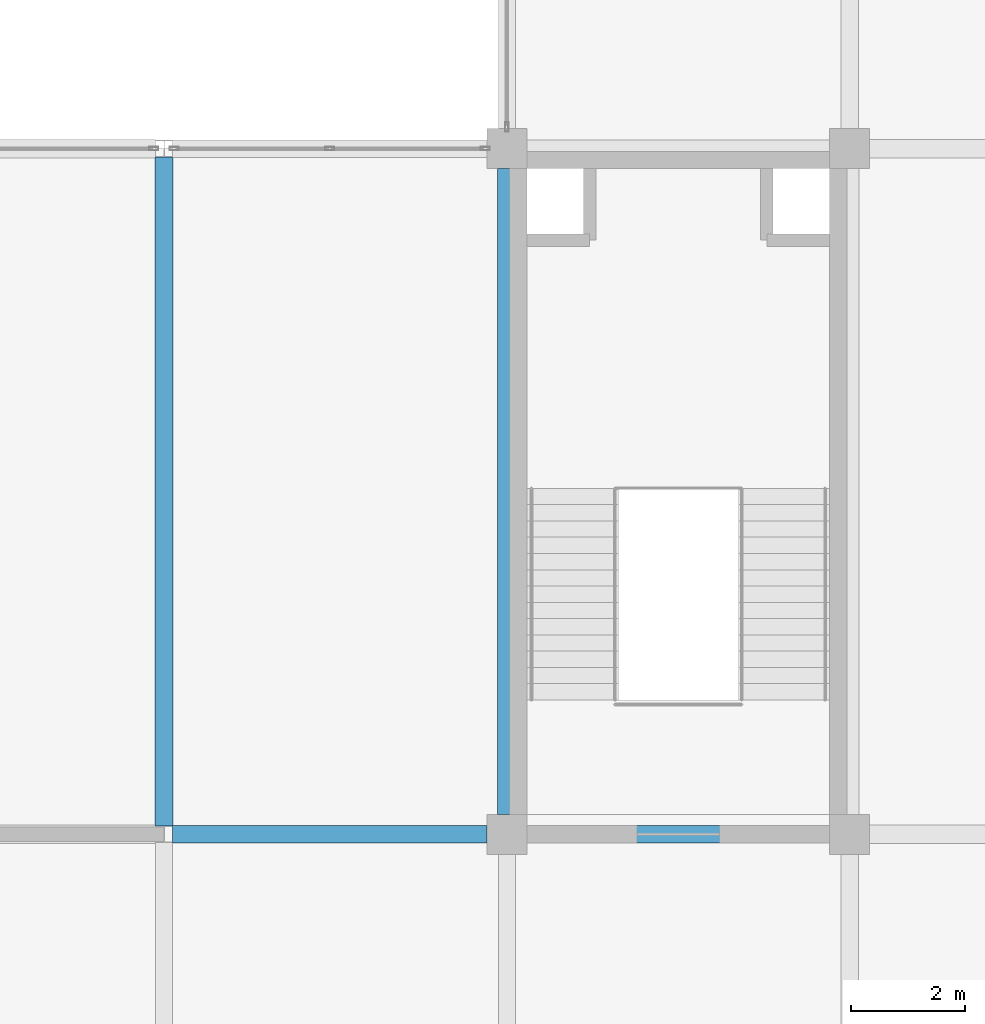
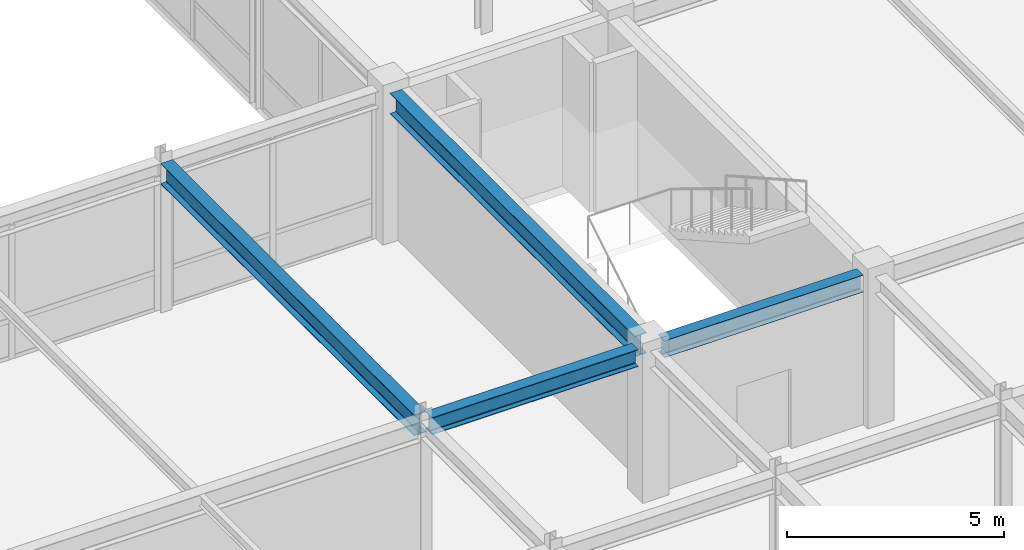
# One storey, part 81 of 108: 4 beams.
"""IFC4 building model written with IfcOpenShell, lengths in metres."""

from ifc_helpers import new_model, si_unit, direction, frame, origin, origin_2d, place, context, subcontext, project, spatial, i_section, extrude, material, material_profile, profile_set, type_object, element, save


model = new_model("IFC4")

# Units and contexts
model_context = context("Model", 3, precision=1e-05, world=origin(), true_north=direction((0.0, 1.0)))
body_context = subcontext(model_context, "Body", "Model", "MODEL_VIEW")
ifc_project = project(units=[si_unit("LENGTHUNIT", "METRE"), si_unit("AREAUNIT", "SQUARE_METRE"), si_unit("VOLUMEUNIT", "CUBIC_METRE"), si_unit("PLANEANGLEUNIT", "RADIAN"), si_unit("MASSUNIT", "GRAM", prefix="KILO")], contexts=[model_context])

# Site, building, storey
site_placement = place(None, origin())
site = spatial("IfcSite", under=ifc_project, at=site_placement, CompositionType="ELEMENT")
building_placement = place(site_placement, origin())
building = spatial("IfcBuilding", under=site, at=building_placement, Name="Zlatovratsky Civic Hall", CompositionType="ELEMENT")
storey_placement = place(building_placement, frame((0.0, 0.0, 12.0)))
storey = spatial("IfcBuildingStorey", under=building, at=storey_placement, Name="L03", CompositionType="ELEMENT", Elevation=12.0)

# Beams
ifc_material = material(Name="Steel S355", Category="steel")
ifc_material_profile_1 = material_profile(ifc_material, i_section(OverallWidth=0.300048828125, OverallDepth=0.48193359375, WebThickness=0.010986328125, FlangeThickness=0.014892578125, FilletRadius=0.02392578125, at=origin_2d()), Name="50Sh1")
ifc_profile_set_1 = profile_set([ifc_material_profile_1], Name="Steel S355")
beam_type_1 = type_object("IfcBeamType", Name="Beam_LibraryGirder_50Sh1", PredefinedType="BEAM", material=ifc_profile_set_1)
beam_1_placement = place(storey_placement, frame((144.1494140625, 18.0, 3.97900390625), z_axis=(1.0, 0.0, 0.0), x_axis=(0.0, 1.0, 0.0)))
element("IfcBeam", 1, at=beam_1_placement, inside=storey, type_object=beam_type_1, Name="BM-2522", PredefinedType="BEAM", context=body_context, shape_type="SweptSolid", body=[
    extrude(i_section(OverallWidth=0.300048828125, OverallDepth=0.48193359375, WebThickness=0.010986328125, FlangeThickness=0.014892578125, FilletRadius=0.02392578125, at=origin_2d()), origin(), (0.0, 0.0, 1.0), 5.50048828125),
])
beam_2_placement = place(storey_placement, frame((150.35009765625, 18.0, 3.97900390625), z_axis=(1.0, 0.0, 0.0), x_axis=(0.0, 1.0, 0.0)))
element("IfcBeam", 2, at=beam_2_placement, inside=storey, type_object=beam_type_1, Name="BM-2523", PredefinedType="BEAM", context=body_context, shape_type="SweptSolid", body=[
    extrude(i_section(OverallWidth=0.300048828125, OverallDepth=0.48193359375, WebThickness=0.010986328125, FlangeThickness=0.014892578125, FilletRadius=0.02392578125, at=origin_2d()), origin(), (0.0, 0.0, 1.0), 5.2998046875),
])
ifc_material_profile_2 = material_profile(ifc_material, i_section(OverallWidth=0.320068359375, OverallDepth=0.58203125, WebThickness=0.011962890625, FlangeThickness=0.01708984375, FilletRadius=0.02392578125, at=origin_2d()), Name="60Sh1")
ifc_profile_set_2 = profile_set([ifc_material_profile_2], Name="Steel S355")
beam_type_2 = type_object("IfcBeamType", Name="Beam_PodiumGirder_60Sh1", PredefinedType="BEAM", material=ifc_profile_set_2)
beam_3_placement = place(storey_placement, frame((144.0, 18.14794921875, 3.928955078125), z_axis=(0.0, 1.0, 0.0), x_axis=(-1.0, 0.0, 0.0)))
element("IfcBeam", 3, at=beam_3_placement, inside=storey, type_object=beam_type_2, Name="BM-3060", PredefinedType="BEAM", context=body_context, shape_type="SweptSolid", body=[
    extrude(i_section(OverallWidth=0.320068359375, OverallDepth=0.58203125, WebThickness=0.011962890625, FlangeThickness=0.01708984375, FilletRadius=0.02392578125, at=origin_2d()), origin(), (0.0, 0.0, 1.0), 11.7041015625),
])
beam_4_placement = place(storey_placement, frame((150.0, 18.35009765625, 3.928955078125), z_axis=(0.0, 1.0, 0.0), x_axis=(-1.0, 0.0, 0.0)))
element("IfcBeam", 4, at=beam_4_placement, inside=storey, type_object=beam_type_2, Name="BM-3071", PredefinedType="BEAM", context=body_context, shape_type="SweptSolid", body=[
    extrude(i_section(OverallWidth=0.320068359375, OverallDepth=0.58203125, WebThickness=0.011962890625, FlangeThickness=0.01708984375, FilletRadius=0.02392578125, at=origin_2d()), origin(), (0.0, 0.0, 1.0), 11.2998046875),
])

save(model, "model.ifc")
